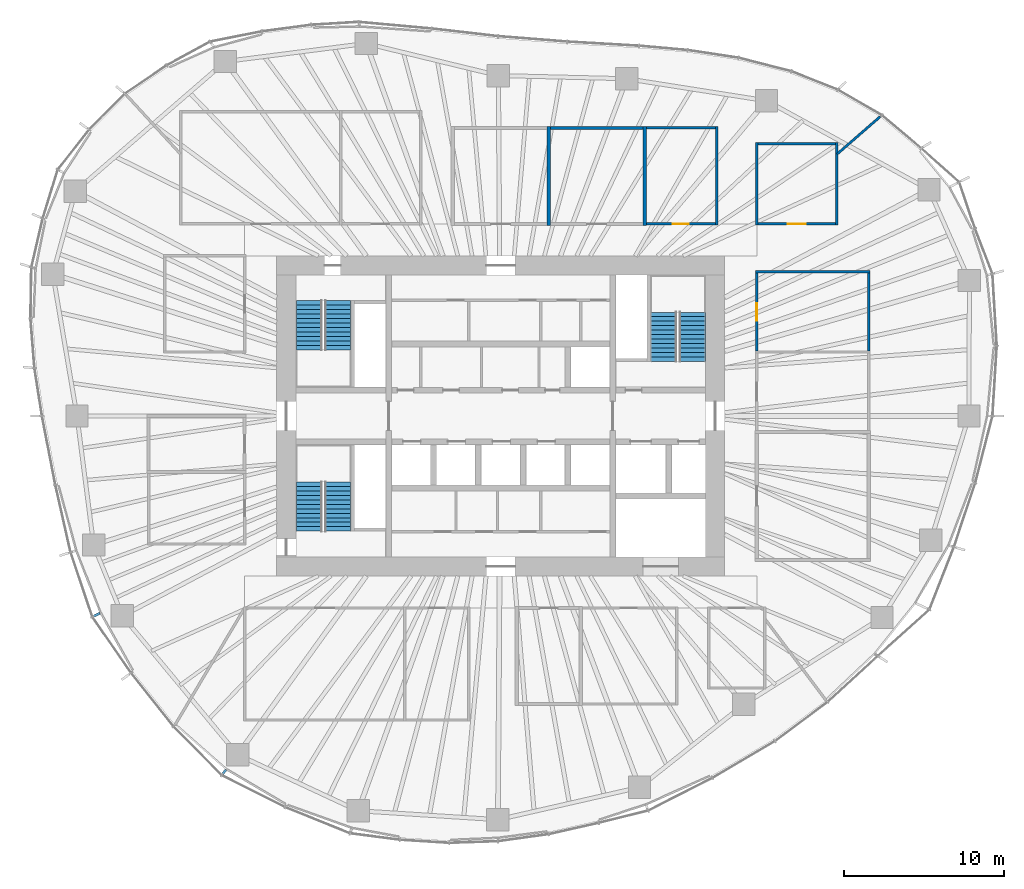
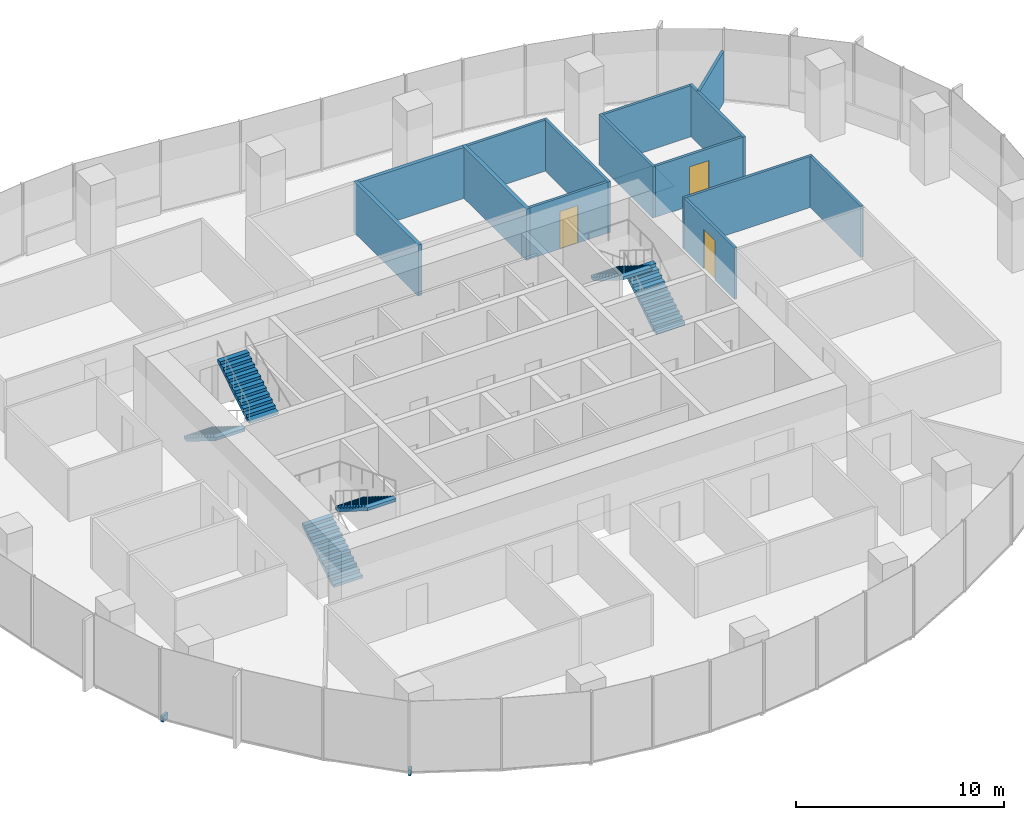
# One storey, part 11 of 18: 14 walls, 6 stair flights, 3 doors, 2 discrete accessories, 3 openings, 3 elements without a shape of their own.
"""IFC4 building model written with IfcOpenShell, lengths in metres."""

from ifc_helpers import new_model, si_unit, direction, frame, frame_2d, origin, origin_2d, place, context, subcontext, project, spatial, polyline, rectangle, outline, extrude, material, layer, layer_set, type_object, element, fill, aggregate, save


model = new_model("IFC4")

# Units and contexts
model_context = context("Model", 3, precision=1e-05, world=origin(), true_north=direction((0.0, 1.0)))
body_context = subcontext(model_context, "Body", "Model", "MODEL_VIEW")
ifc_project = project(units=[si_unit("LENGTHUNIT", "METRE"), si_unit("AREAUNIT", "SQUARE_METRE"), si_unit("VOLUMEUNIT", "CUBIC_METRE"), si_unit("PLANEANGLEUNIT", "RADIAN"), si_unit("MASSUNIT", "GRAM", prefix="KILO")], contexts=[model_context])

# Site, building, storey
site_placement = place(None, origin())
site = spatial("IfcSite", under=ifc_project, at=site_placement, CompositionType="ELEMENT")
building_placement = place(site_placement, origin())
building = spatial("IfcBuilding", under=site, at=building_placement, Name="Ghaith Harvest Tower", CompositionType="ELEMENT")
storey_placement = place(building_placement, frame((0.0, 0.0, 163.800048828125)))
storey = spatial("IfcBuildingStorey", under=building, at=storey_placement, Name="L35", CompositionType="ELEMENT", Elevation=163.800048828125)

# Walls
ifc_material_1 = material(Name="Twin-stud gypsum board, acoustic", Category="gypsum")
ifc_layer_1 = layer(ifc_material_1, 0.199951171875)
ifc_layer_set_1 = layer_set([ifc_layer_1], Name="ACOUSTIC PARTITION 200")
wall_type_1 = type_object("IfcWallType", Name="ACOUSTIC PARTITION 200", PredefinedType="PARTITIONING", material=ifc_layer_set_1)
for number, where, z_axis, x_axis, name in (
    (1, (3.0, 11.89990234375, 0.0), (0.0, 0.0, 1.0), (0.0, 1.0, 0.0), "Partition L35 row N4 cross wall 2"),
    (2, (9.0, 11.89990234375, 0.0), (0.0, 0.0, 1.0), (0.0, 1.0, 0.0), "Partition L35 row N4 cross wall 3"),
):
    element("IfcWall", number, at=place(storey_placement, frame(where, z_axis=z_axis, x_axis=x_axis)), inside=storey, type_object=wall_type_1, Name=name, PredefinedType="PARTITIONING", context=body_context, shape_type="SweptSolid", body=[
        extrude(rectangle(XDim=6.2001953125, YDim=0.199951171875, at=frame_2d((3.10009765625, 0.0))), origin(), (0.0, 0.0, 1.0), 3.0),
    ])
wall_1_placement = place(storey_placement, frame((3.10009765625, 18.0, 0.0), z_axis=(0.0, 0.0, 1.0), x_axis=(1.0, 0.0, 0.0)))
element("IfcWall", 3, at=wall_1_placement, inside=storey, type_object=wall_type_1, Name="Partition L35-08", PredefinedType="PARTITIONING", context=body_context, shape_type="SweptSolid", body=[
    extrude(rectangle(XDim=5.7998046875, YDim=0.199951171875, at=frame_2d((2.89990234375, 0.0))), origin(), (0.0, 0.0, 1.0), 3.0),
])
ifc_material_2 = material(Name="Gypsum board on steel studs", Category="steel")
ifc_layer_2 = layer(ifc_material_2, 0.14990234375)
ifc_layer_set_2 = layer_set([ifc_layer_2], Name="PARTITION 150")
wall_type_2 = type_object("IfcWallType", Name="PARTITION 150", PredefinedType="PARTITIONING", material=ifc_layer_set_2)
wall_2_placement = place(storey_placement, frame((13.5, 11.925048828125, 0.0), z_axis=(0.0, 0.0, 1.0), x_axis=(0.0, 1.0, 0.0)))
element("IfcWall", 4, at=wall_2_placement, inside=storey, type_object=wall_type_2, Name="Partition L35 row N4 cross wall 4", PredefinedType="PARTITIONING", context=body_context, shape_type="SweptSolid", body=[
    extrude(rectangle(XDim=6.14990234375, YDim=0.14990234375, at=frame_2d((3.074951171875, 0.0))), origin(), (0.0, 0.0, 1.0), 3.0),
])

# Wall, opening, door
wall_3_placement = place(storey_placement, frame((9.10009765625, 12.0, 0.0), z_axis=(0.0, 0.0, 1.0), x_axis=(1.0, 0.0, 0.0)))
wall_3 = element("IfcWall", 5, at=wall_3_placement, inside=storey, type_object=wall_type_2, Name="Partition L35-09", PredefinedType="PARTITIONING", context=body_context, shape_type="SweptSolid", body=[
    extrude(rectangle(XDim=4.324951171875, YDim=0.14990234375, at=frame_2d((2.16259765625, 0.0))), origin(), (0.0, 0.0, 1.0), 3.0),
])
opening_1_placement = place(wall_3_placement, frame((1.66259765625, 0.0, 0.0)))
opening_1 = element("IfcOpeningElement", 6, at=opening_1_placement, cuts=wall_3, Name="Opening 35-037", PredefinedType="OPENING", context=body_context, shape_type="SweptSolid", body=[
    extrude(rectangle(XDim=1.0, YDim=2.199951171875, at=frame_2d((0.5, 1.10009765625))), frame((0.0, 0.0849609375, 0.0), z_axis=(0.0, -1.0, 0.0), x_axis=(1.0, 0.0, 0.0)), (0.0, 0.0, 1.0), 0.169921875),
])
ifc_material_3 = material(Name="Timber door", Category="wood")
door_type_1 = type_object("IfcDoorType", Name="D1 SINGLE 1000x2200", OperationType="SINGLE_SWING_LEFT", PredefinedType="DOOR", material=ifc_material_3)
door_1_placement = place(opening_1_placement, origin())
door_1 = element("IfcDoor", 7, at=door_1_placement, inside=storey, type_object=door_type_1, Name="Pantry door", OperationType="SINGLE_SWING_LEFT", OverallHeight=2.199951171875, OverallWidth=1.0, PredefinedType="DOOR", context=body_context, shape_type="SweptSolid", body=[
    extrude(rectangle(XDim=1.0, YDim=2.199951171875, at=frame_2d((0.5, 1.10009765625))), frame((0.0, 0.02490234375, 0.0), z_axis=(0.0, -1.0, 0.0), x_axis=(1.0, 0.0, 0.0)), (0.0, 0.0, 1.0), 0.050048828125),
])
fill(opening_1, door_1)

# Walls
wall_4_placement = place(storey_placement, frame((9.10009765625, 18.0, 0.0), z_axis=(0.0, 0.0, 1.0), x_axis=(1.0, 0.0, 0.0)))
element("IfcWall", 8, at=wall_4_placement, inside=storey, type_object=wall_type_2, Name="Partition L35-09", PredefinedType="PARTITIONING", context=body_context, shape_type="SweptSolid", body=[
    extrude(rectangle(XDim=4.324951171875, YDim=0.14990234375, at=frame_2d((2.16259765625, 0.0))), origin(), (0.0, 0.0, 1.0), 3.0),
])
wall_5_placement = place(storey_placement, frame((15.925048828125, 9.0, 0.0), z_axis=(0.0, 0.0, 1.0), x_axis=(1.0, 0.0, 0.0)))
element("IfcWall", 9, at=wall_5_placement, inside=storey, type_object=wall_type_2, Name="Partition L35 row E5 cross wall 4", PredefinedType="PARTITIONING", context=body_context, shape_type="SweptSolid", body=[
    extrude(rectangle(XDim=7.14990234375, YDim=0.14990234375, at=frame_2d((3.574951171875, 0.0))), origin(), (0.0, 0.0, 1.0), 3.0),
])

# Wall, opening, door
wall_6_placement = place(storey_placement, frame((16.0, 4.074951171875, 0.0), z_axis=(0.0, 0.0, 1.0), x_axis=(0.0, 1.0, 0.0)))
wall_6 = element("IfcWall", 10, at=wall_6_placement, inside=storey, type_object=wall_type_2, Name="Partition L35-12", PredefinedType="PARTITIONING", context=body_context, shape_type="SweptSolid", body=[
    extrude(rectangle(XDim=4.85009765625, YDim=0.14990234375, at=frame_2d((2.425048828125, 0.0))), origin(), (0.0, 0.0, 1.0), 3.0),
])
opening_2_placement = place(wall_6_placement, frame((1.875, 0.0, 0.0)))
opening_2 = element("IfcOpeningElement", 11, at=opening_2_placement, cuts=wall_6, Name="Opening 35-040", PredefinedType="OPENING", context=body_context, shape_type="SweptSolid", body=[
    extrude(rectangle(XDim=1.10009765625, YDim=2.300048828125, at=frame_2d((0.550048828125, 1.14990234375))), frame((0.0, 0.0849609375, 0.0), z_axis=(0.0, -1.0, 0.0), x_axis=(1.0, 0.0, 0.0)), (0.0, 0.0, 1.0), 0.169921875),
])
ifc_material_4 = material(Name="Timber-framed glazed door", Category="wood")
door_type_2 = type_object("IfcDoorType", Name="D12 GLAZED OFFICE 1100x2300", OperationType="SINGLE_SWING_LEFT", PredefinedType="DOOR", material=ifc_material_4)
door_2_placement = place(opening_2_placement, origin())
door_2 = element("IfcDoor", 12, at=door_2_placement, inside=storey, type_object=door_type_2, Name="Office door", OperationType="SINGLE_SWING_LEFT", OverallHeight=2.300048828125, OverallWidth=1.10009765625, PredefinedType="DOOR", context=body_context, shape_type="SweptSolid", body=[
    extrude(rectangle(XDim=1.10009765625, YDim=2.300048828125, at=frame_2d((0.550048828125, 1.14990234375))), frame((0.0, 0.02490234375, 0.0), z_axis=(0.0, -1.0, 0.0), x_axis=(1.0, 0.0, 0.0)), (0.0, 0.0, 1.0), 0.050048828125),
])
fill(opening_2, door_2)

# Walls
wall_7_placement = place(storey_placement, frame((23.0, 4.074951171875, 0.0), z_axis=(0.0, 0.0, 1.0), x_axis=(0.0, 1.0, 0.0)))
element("IfcWall", 13, at=wall_7_placement, inside=storey, type_object=wall_type_2, Name="Partition L35-12", PredefinedType="PARTITIONING", context=body_context, shape_type="SweptSolid", body=[
    extrude(rectangle(XDim=4.85009765625, YDim=0.14990234375, at=frame_2d((2.425048828125, 0.0))), origin(), (0.0, 0.0, 1.0), 3.0),
])
for number, where, z_axis, x_axis, name in (
    (14, (16.0, 11.925048828125, 0.0), (0.0, 0.0, 1.0), (0.0, 1.0, 0.0), "Partition L35 row N7 cross wall 1"),
    (15, (21.0, 11.925048828125, 0.0), (0.0, 0.0, 1.0), (0.0, 1.0, 0.0), "Partition L35 row N7 cross wall 2"),
):
    element("IfcWall", number, at=place(storey_placement, frame(where, z_axis=z_axis, x_axis=x_axis)), inside=storey, type_object=wall_type_2, Name=name, PredefinedType="PARTITIONING", context=body_context, shape_type="SweptSolid", body=[
        extrude(rectangle(XDim=5.14990234375, YDim=0.14990234375, at=frame_2d((2.574951171875, 0.0))), origin(), (0.0, 0.0, 1.0), 3.0),
    ])

# Wall, opening, door
wall_8_placement = place(storey_placement, frame((16.074951171875, 12.0, 0.0), z_axis=(0.0, 0.0, 1.0), x_axis=(1.0, 0.0, 0.0)))
wall_8 = element("IfcWall", 16, at=wall_8_placement, inside=storey, type_object=wall_type_2, Name="Partition L35-15", PredefinedType="PARTITIONING", context=body_context, shape_type="SweptSolid", body=[
    extrude(rectangle(XDim=4.85009765625, YDim=0.14990234375, at=frame_2d((2.425048828125, 0.0))), origin(), (0.0, 0.0, 1.0), 3.0),
])
opening_3_placement = place(wall_8_placement, frame((1.875, 0.0, 0.0)))
opening_3 = element("IfcOpeningElement", 17, at=opening_3_placement, cuts=wall_8, Name="Opening 35-043", PredefinedType="OPENING", context=body_context, shape_type="SweptSolid", body=[
    extrude(rectangle(XDim=1.10009765625, YDim=2.300048828125, at=frame_2d((0.550048828125, 1.14990234375))), frame((0.0, 0.0849609375, 0.0), z_axis=(0.0, -1.0, 0.0), x_axis=(1.0, 0.0, 0.0)), (0.0, 0.0, 1.0), 0.169921875),
])
door_3_placement = place(opening_3_placement, origin())
door_3 = element("IfcDoor", 18, at=door_3_placement, inside=storey, type_object=door_type_2, Name="Office door", OperationType="SINGLE_SWING_LEFT", OverallHeight=2.300048828125, OverallWidth=1.10009765625, PredefinedType="DOOR", context=body_context, shape_type="SweptSolid", body=[
    extrude(rectangle(XDim=1.10009765625, YDim=2.300048828125, at=frame_2d((0.550048828125, 1.14990234375))), frame((0.0, 0.02490234375, 0.0), z_axis=(0.0, -1.0, 0.0), x_axis=(1.0, 0.0, 0.0)), (0.0, 0.0, 1.0), 0.050048828125),
])
fill(opening_3, door_3)

# Walls
wall_9_placement = place(storey_placement, frame((16.074951171875, 17.0, 0.0), z_axis=(0.0, 0.0, 1.0), x_axis=(1.0, 0.0, 0.0)))
element("IfcWall", 19, at=wall_9_placement, inside=storey, type_object=wall_type_2, Name="Partition L35-15", PredefinedType="PARTITIONING", context=body_context, shape_type="SweptSolid", body=[
    extrude(rectangle(XDim=4.85009765625, YDim=0.14990234375, at=frame_2d((2.425048828125, 0.0))), origin(), (0.0, 0.0, 1.0), 3.0),
])
wall_10_placement = place(storey_placement, frame((21.02001953125, 16.364013671875, 0.0), z_axis=(0.0, 0.0, 1.0), x_axis=(0.75467183248, 0.656102450278, 0.0)))
element("IfcWall", 20, at=wall_10_placement, inside=storey, type_object=wall_type_2, Name="Partition L35 zone division", PredefinedType="PARTITIONING", context=body_context, shape_type="SweptSolid", body=[
    extrude(rectangle(XDim=3.566650390625, YDim=0.14990234375, at=frame_2d((1.783203125, 0.0))), origin(), (0.0, 0.0, 1.0), 3.0),
])

# Stair, stair flights
ifc_material_5 = material(Name="Concrete C40/50, precast", Category="concrete")
stair_type = type_object("IfcStairType", Name="CORE STAIR 24R", PredefinedType="HALF_TURN_STAIR", material=ifc_material_5)
stair_1_placement = place(storey_placement, origin())
stair_1 = element("IfcStair", 21, at=stair_1_placement, inside=storey, type_object=stair_type, Name="Stair ST1 L35", PredefinedType="HALF_TURN_STAIR")
ifc_material_6 = material(Name="Concrete C40/50, precast", Category="concrete")
stair_flight_type = type_object("IfcStairFlightType", Name="CORE FLIGHT 12R 1600", PredefinedType="STRAIGHT", material=ifc_material_6)
stair_flight_1_placement = place(storey_placement, frame((-12.0, 7.199951171875, 0.0), z_axis=(0.0, 0.0, 1.0), x_axis=(0.0, -1.0, 0.0)))
stair_flight_1 = element("IfcStairFlight", 22, at=stair_flight_1_placement, type_object=stair_flight_type, Name="ST1 flight 1", NumberOfRisers=12, NumberOfTreads=11, PredefinedType="STRAIGHT", RiserHeight=0.175, TreadLength=0.28, context=body_context, shape_type="SweptSolid", body=[
    extrude(outline(polyline([(0.0, 0.0), (0.0, 0.175048828125), (0.280029296875, 0.175048828125), (0.280029296875, 0.35009765625), (0.56005859375, 0.35009765625), (0.56005859375, 0.52490234375), (0.840087890625, 0.52490234375), (0.840087890625, 0.699951171875), (1.1201171875, 0.699951171875), (1.1201171875, 0.875), (1.39990234375, 0.875), (1.39990234375, 1.050048828125), (1.679931640625, 1.050048828125), (1.679931640625, 1.22509765625), (1.9599609375, 1.22509765625), (1.9599609375, 1.39990234375), (2.239990234375, 1.39990234375), (2.239990234375, 1.574951171875), (2.52001953125, 1.574951171875), (2.52001953125, 1.75), (2.800048828125, 1.75), (2.800048828125, 1.925048828125), (3.080078125, 1.925048828125), (3.080078125, 2.10009765625), (3.080078125, 1.748291015625), (0.28271484375, 0.0), (0.0, 0.0)])), frame((0.0, 0.800048828125, 0.0), z_axis=(0.0, -1.0, 0.0), x_axis=(1.0, 0.0, 0.0)), (0.0, 0.0, 1.0), 1.60009765625),
])
stair_flight_2_placement = place(storey_placement, frame((-10.14990234375, 4.1201171875, 2.099853515625), z_axis=(0.0, 0.0, 1.0), x_axis=(0.0, 1.0, 0.0)))
stair_flight_2 = element("IfcStairFlight", 23, at=stair_flight_2_placement, type_object=stair_flight_type, Name="ST1 flight 2", NumberOfRisers=12, NumberOfTreads=11, PredefinedType="STRAIGHT", RiserHeight=0.175, TreadLength=0.28, context=body_context, shape_type="SweptSolid", body=[
    extrude(outline(polyline([(0.0, 0.0), (0.0, 0.175048828125), (0.280029296875, 0.175048828125), (0.280029296875, 0.35009765625), (0.56005859375, 0.35009765625), (0.56005859375, 0.52490234375), (0.840087890625, 0.52490234375), (0.840087890625, 0.699951171875), (1.1201171875, 0.699951171875), (1.1201171875, 0.875), (1.39990234375, 0.875), (1.39990234375, 1.050048828125), (1.679931640625, 1.050048828125), (1.679931640625, 1.22509765625), (1.9599609375, 1.22509765625), (1.9599609375, 1.39990234375), (2.239990234375, 1.39990234375), (2.239990234375, 1.574951171875), (2.52001953125, 1.574951171875), (2.52001953125, 1.75), (2.800048828125, 1.75), (2.800048828125, 1.925048828125), (3.080078125, 1.925048828125), (3.080078125, 2.10009765625), (3.080078125, 1.748291015625), (0.28271484375, 0.0), (0.0, 0.0)])), frame((0.0, 0.800048828125, 0.0), z_axis=(0.0, -1.0, 0.0), x_axis=(1.0, 0.0, 0.0)), (0.0, 0.0, 1.0), 1.60009765625),
])
aggregate(stair_1, [stair_flight_1, stair_flight_2])

stair_2_placement = place(storey_placement, origin())
stair_2 = element("IfcStair", 24, at=stair_2_placement, inside=storey, type_object=stair_type, Name="Stair ST3 L35", PredefinedType="HALF_TURN_STAIR")
stair_flight_3_placement = place(storey_placement, frame((-12.0, -7.199951171875, 0.0), z_axis=(0.0, 0.0, 1.0), x_axis=(0.0, 1.0, 0.0)))
stair_flight_3 = element("IfcStairFlight", 25, at=stair_flight_3_placement, type_object=stair_flight_type, Name="ST3 flight 1", NumberOfRisers=12, NumberOfTreads=11, PredefinedType="STRAIGHT", RiserHeight=0.175, TreadLength=0.28, context=body_context, shape_type="SweptSolid", body=[
    extrude(outline(polyline([(0.0, 0.0), (0.0, 0.175048828125), (0.280029296875, 0.175048828125), (0.280029296875, 0.35009765625), (0.56005859375, 0.35009765625), (0.56005859375, 0.52490234375), (0.840087890625, 0.52490234375), (0.840087890625, 0.699951171875), (1.1201171875, 0.699951171875), (1.1201171875, 0.875), (1.39990234375, 0.875), (1.39990234375, 1.050048828125), (1.679931640625, 1.050048828125), (1.679931640625, 1.22509765625), (1.9599609375, 1.22509765625), (1.9599609375, 1.39990234375), (2.239990234375, 1.39990234375), (2.239990234375, 1.574951171875), (2.52001953125, 1.574951171875), (2.52001953125, 1.75), (2.800048828125, 1.75), (2.800048828125, 1.925048828125), (3.080078125, 1.925048828125), (3.080078125, 2.10009765625), (3.080078125, 1.748291015625), (0.28271484375, 0.0), (0.0, 0.0)])), frame((0.0, 0.800048828125, 0.0), z_axis=(0.0, -1.0, 0.0), x_axis=(1.0, 0.0, 0.0)), (0.0, 0.0, 1.0), 1.60009765625),
])
stair_flight_4_placement = place(storey_placement, frame((-10.14990234375, -4.1201171875, 2.099853515625), z_axis=(0.0, 0.0, 1.0), x_axis=(0.0, -1.0, 0.0)))
stair_flight_4 = element("IfcStairFlight", 26, at=stair_flight_4_placement, type_object=stair_flight_type, Name="ST3 flight 2", NumberOfRisers=12, NumberOfTreads=11, PredefinedType="STRAIGHT", RiserHeight=0.175, TreadLength=0.28, context=body_context, shape_type="SweptSolid", body=[
    extrude(outline(polyline([(0.0, 0.0), (0.0, 0.175048828125), (0.280029296875, 0.175048828125), (0.280029296875, 0.35009765625), (0.56005859375, 0.35009765625), (0.56005859375, 0.52490234375), (0.840087890625, 0.52490234375), (0.840087890625, 0.699951171875), (1.1201171875, 0.699951171875), (1.1201171875, 0.875), (1.39990234375, 0.875), (1.39990234375, 1.050048828125), (1.679931640625, 1.050048828125), (1.679931640625, 1.22509765625), (1.9599609375, 1.22509765625), (1.9599609375, 1.39990234375), (2.239990234375, 1.39990234375), (2.239990234375, 1.574951171875), (2.52001953125, 1.574951171875), (2.52001953125, 1.75), (2.800048828125, 1.75), (2.800048828125, 1.925048828125), (3.080078125, 1.925048828125), (3.080078125, 2.10009765625), (3.080078125, 1.748291015625), (0.28271484375, 0.0), (0.0, 0.0)])), frame((0.0, 0.800048828125, 0.0), z_axis=(0.0, -1.0, 0.0), x_axis=(1.0, 0.0, 0.0)), (0.0, 0.0, 1.0), 1.60009765625),
])
aggregate(stair_2, [stair_flight_3, stair_flight_4])

stair_3_placement = place(storey_placement, origin())
stair_3 = element("IfcStair", 27, at=stair_3_placement, inside=storey, type_object=stair_type, Name="Stair ST2 L35", PredefinedType="HALF_TURN_STAIR")
stair_flight_5_placement = place(storey_placement, frame((12.0, 3.39990234375, 0.0), z_axis=(0.0, 0.0, 1.0), x_axis=(0.0, 1.0, 0.0)))
stair_flight_5 = element("IfcStairFlight", 28, at=stair_flight_5_placement, type_object=stair_flight_type, Name="ST2 flight 1", NumberOfRisers=12, NumberOfTreads=11, PredefinedType="STRAIGHT", RiserHeight=0.175, TreadLength=0.28, context=body_context, shape_type="SweptSolid", body=[
    extrude(outline(polyline([(0.0, 0.0), (0.0, 0.175048828125), (0.280029296875, 0.175048828125), (0.280029296875, 0.35009765625), (0.56005859375, 0.35009765625), (0.56005859375, 0.52490234375), (0.840087890625, 0.52490234375), (0.840087890625, 0.699951171875), (1.1201171875, 0.699951171875), (1.1201171875, 0.875), (1.39990234375, 0.875), (1.39990234375, 1.050048828125), (1.679931640625, 1.050048828125), (1.679931640625, 1.22509765625), (1.9599609375, 1.22509765625), (1.9599609375, 1.39990234375), (2.239990234375, 1.39990234375), (2.239990234375, 1.574951171875), (2.52001953125, 1.574951171875), (2.52001953125, 1.75), (2.800048828125, 1.75), (2.800048828125, 1.925048828125), (3.080078125, 1.925048828125), (3.080078125, 2.10009765625), (3.080078125, 1.748291015625), (0.28271484375, 0.0), (0.0, 0.0)])), frame((0.0, 0.800048828125, 0.0), z_axis=(0.0, -1.0, 0.0), x_axis=(1.0, 0.0, 0.0)), (0.0, 0.0, 1.0), 1.60009765625),
])
stair_flight_6_placement = place(storey_placement, frame((10.14990234375, 6.47998046875, 2.099853515625), z_axis=(0.0, 0.0, 1.0), x_axis=(0.0, -1.0, 0.0)))
stair_flight_6 = element("IfcStairFlight", 29, at=stair_flight_6_placement, type_object=stair_flight_type, Name="ST2 flight 2", NumberOfRisers=12, NumberOfTreads=11, PredefinedType="STRAIGHT", RiserHeight=0.175, TreadLength=0.28, context=body_context, shape_type="SweptSolid", body=[
    extrude(outline(polyline([(0.0, 0.0), (0.0, 0.175048828125), (0.280029296875, 0.175048828125), (0.280029296875, 0.35009765625), (0.56005859375, 0.35009765625), (0.56005859375, 0.52490234375), (0.840087890625, 0.52490234375), (0.840087890625, 0.699951171875), (1.1201171875, 0.699951171875), (1.1201171875, 0.875), (1.39990234375, 0.875), (1.39990234375, 1.050048828125), (1.679931640625, 1.050048828125), (1.679931640625, 1.22509765625), (1.9599609375, 1.22509765625), (1.9599609375, 1.39990234375), (2.239990234375, 1.39990234375), (2.239990234375, 1.574951171875), (2.52001953125, 1.574951171875), (2.52001953125, 1.75), (2.800048828125, 1.75), (2.800048828125, 1.925048828125), (3.080078125, 1.925048828125), (3.080078125, 2.10009765625), (3.080078125, 1.748291015625), (0.28271484375, 0.0), (0.0, 0.0)])), frame((0.0, 0.800048828125, 0.0), z_axis=(0.0, -1.0, 0.0), x_axis=(1.0, 0.0, 0.0)), (0.0, 0.0, 1.0), 1.60009765625),
])
aggregate(stair_3, [stair_flight_5, stair_flight_6])

# Discrete accessories
ifc_material_7 = material(Name="Stainless steel grade 1.4401", Category="steel")
discrete_accessory_type_1 = type_object("IfcDiscreteAccessoryType", Name="CURTAIN WALL BRACKET 315", PredefinedType="BRACKET", material=ifc_material_7)
discrete_accessory_1_placement = place(storey_placement, frame((-17.266357421875, -22.232421875, -0.25), z_axis=(0.0, 0.0, 1.0), x_axis=(-0.613377713774, -0.789789706343, 0.0)))
element("IfcDiscreteAccessory", 30, at=discrete_accessory_1_placement, inside=storey, type_object=discrete_accessory_type_1, Name="CW-L bracket 1 bay 14 L35", PredefinedType="BRACKET", context=body_context, shape_type="SweptSolid", body=[
    extrude(rectangle(XDim=0.31494140625, YDim=0.14990234375, at=origin_2d()), origin(), (0.0, 0.0, 1.0), 0.35009765625),
])
ifc_material_8 = material(Name="Stainless steel grade 1.4401", Category="steel")
discrete_accessory_type_2 = type_object("IfcDiscreteAccessoryType", Name="CURTAIN WALL BRACKET 415", PredefinedType="BRACKET", material=ifc_material_8)
discrete_accessory_2_placement = place(storey_placement, frame((-25.228515625, -12.41796875, -0.25), z_axis=(0.0, 0.0, 1.0), x_axis=(-0.897201221415, -0.441621974421, 0.0)))
element("IfcDiscreteAccessory", 31, at=discrete_accessory_2_placement, inside=storey, type_object=discrete_accessory_type_2, Name="CW-L bracket 2 bay 12 L35", PredefinedType="BRACKET", context=body_context, shape_type="SweptSolid", body=[
    extrude(rectangle(XDim=0.4150390625, YDim=0.14990234375, at=origin_2d()), origin(), (0.0, 0.0, 1.0), 0.35009765625),
])

save(model, "model.ifc")
